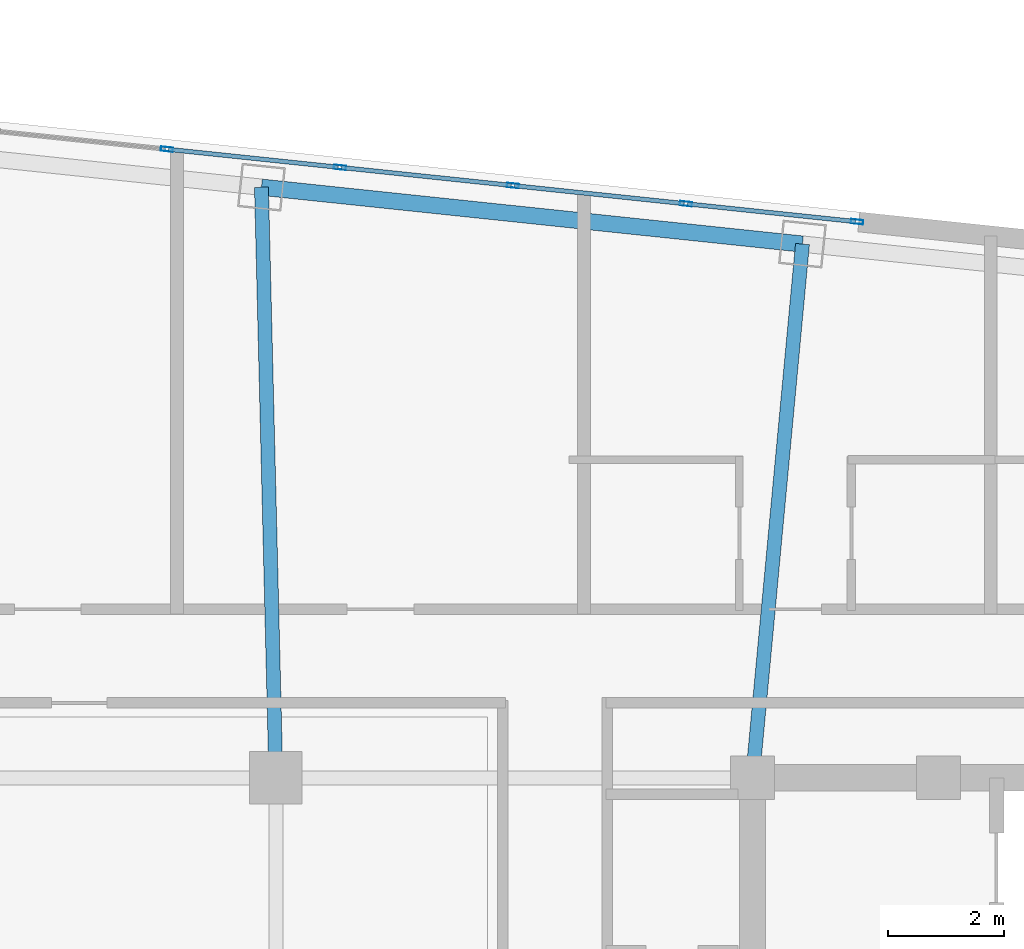
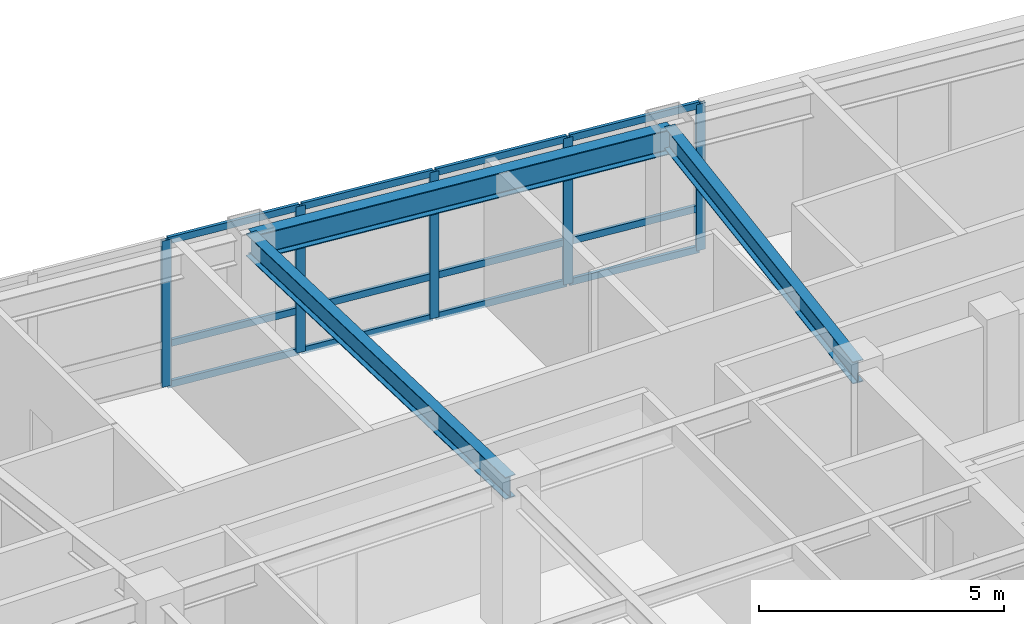
# One storey, part 6 of 16: 17 members, 3 beams, 1 element without a shape of its own.
"""IFC4 building model written with IfcOpenShell, lengths in metres."""

from ifc_helpers import new_model, si_unit, direction, frame, origin, origin_2d, place, context, subcontext, project, spatial, hollow_rectangle, i_section, extrude, material, layer, layer_set, material_profile, profile_set, type_object, element, aggregate, save


model = new_model("IFC4")

# Units and contexts
model_context = context("Model", 3, precision=1e-05, world=origin(), true_north=direction((0.0, 1.0)))
body_context = subcontext(model_context, "Body", "Model", "MODEL_VIEW")
ifc_project = project(units=[si_unit("LENGTHUNIT", "METRE"), si_unit("AREAUNIT", "SQUARE_METRE"), si_unit("VOLUMEUNIT", "CUBIC_METRE"), si_unit("PLANEANGLEUNIT", "RADIAN"), si_unit("MASSUNIT", "GRAM", prefix="KILO")], contexts=[model_context])

# Site, building, storey
site_placement = place(None, origin())
site = spatial("IfcSite", under=ifc_project, at=site_placement, CompositionType="ELEMENT")
building_placement = place(site_placement, origin())
building = spatial("IfcBuilding", under=site, at=building_placement, Name="Voryun Gate Residences", CompositionType="ELEMENT")
storey_placement = place(building_placement, frame((0.0, 0.0, 267.800048828125)))
storey = spatial("IfcBuildingStorey", under=building, at=storey_placement, Name="L66", CompositionType="ELEMENT", Elevation=267.800048828125)

# Beams
ifc_material_1 = material(Name="Steel SM355", Category="steel")
ifc_material_profile_1 = material_profile(ifc_material_1, i_section(OverallWidth=0.280029296875, OverallDepth=0.6201171875, WebThickness=0.013916015625, FlangeThickness=0.02197265625, FilletRadius=0.01806640625, at=origin_2d()), Name="H-620x280x14x22")
ifc_profile_set_1 = profile_set([ifc_material_profile_1], Name="Steel SM355")
beam_type_1 = type_object("IfcBeamType", Name="BM_EXO_SPANDREL_H", PredefinedType="SPANDREL", material=ifc_profile_set_1)
beam_1_placement = place(storey_placement, frame((13.26025390625, 16.5830078125, 3.33984375), z_axis=(-0.994523018663, 0.104517775278, 0.0), x_axis=(-0.104517775278, -0.994523018663, 0.0)))
element("IfcBeam", 1, at=beam_1_placement, inside=storey, type_object=beam_type_1, Name="BM-L66-SPAND-12", PredefinedType="SPANDREL", context=body_context, shape_type="SweptSolid", body=[
    extrude(i_section(OverallWidth=0.280029296875, OverallDepth=0.6201171875, WebThickness=0.013916015625, FlangeThickness=0.02197265625, FilletRadius=0.01806640625, at=origin_2d()), origin(), (0.0, 0.0, 1.0), 9.35986328125),
])
ifc_material_2 = material(Name="Steel SM355", Category="steel")
ifc_material_profile_2 = material_profile(ifc_material_2, i_section(OverallWidth=0.239990234375, OverallDepth=0.550048828125, WebThickness=0.011962890625, FlangeThickness=0.02001953125, FilletRadius=0.01806640625, at=origin_2d()), Name="H-550x240x12x20")
ifc_profile_set_2 = profile_set([ifc_material_profile_2], Name="Steel SM355")
beam_type_2 = type_object("IfcBeamType", Name="BM_GIRD_550", PredefinedType="USERDEFINED", material=ifc_profile_set_2)
beam_2_placement = place(storey_placement, frame((12.39990234375, 7.39990234375, 3.375), z_axis=(0.093280030115, 0.995639912811, 0.0), x_axis=(-0.995639912811, 0.093280030115, 0.0)))
element("IfcBeam", 2, at=beam_2_placement, inside=storey, type_object=beam_type_2, Name="BM-L66-RAD-N2", ObjectType="GIRDER", PredefinedType="USERDEFINED", context=body_context, shape_type="SweptSolid", body=[
    extrude(i_section(OverallWidth=0.239990234375, OverallDepth=0.550048828125, WebThickness=0.011962890625, FlangeThickness=0.02001953125, FilletRadius=0.01806640625, at=origin_2d()), origin(), (0.0, 0.0, 1.0), 9.223388671875),
])
beam_3_placement = place(storey_placement, frame((4.199951171875, 7.39990234375, 3.375), z_axis=(-0.024427489288, 0.999701604364, 0.0), x_axis=(-0.999701604364, -0.024427489288, 0.0)))
element("IfcBeam", 3, at=beam_3_placement, inside=storey, type_object=beam_type_2, Name="BM-L66-RAD-N3", ObjectType="GIRDER", PredefinedType="USERDEFINED", context=body_context, shape_type="SweptSolid", body=[
    extrude(i_section(OverallWidth=0.239990234375, OverallDepth=0.550048828125, WebThickness=0.011962890625, FlangeThickness=0.02001953125, FilletRadius=0.01806640625, at=origin_2d()), origin(), (0.0, 0.0, 1.0), 10.164306640625),
])

# Curtain wall, members
ifc_material_3 = material(Name="Anodised aluminium", Category="aluminium")
ifc_layer = layer(ifc_material_3, 0.2099609375, Name="CW_SYS_SKYGARDEN_DARK_GLASS")
ifc_layer_set = layer_set([ifc_layer], Name="Anodised aluminium")
curtain_wall_type = type_object("IfcCurtainWallType", Name="CW_SYS_SKYGARDEN_DARK_GLASS", PredefinedType="NOTDEFINED", material=ifc_layer_set)
curtain_wall_placement = place(storey_placement, origin())
curtain_wall = element("IfcCurtainWall", 4, at=curtain_wall_placement, inside=storey, type_object=curtain_wall_type, Name="Curtain wall CW5-L66-SG-11", PredefinedType="NOTDEFINED")
ifc_material_4 = material(Name="Anodised aluminium", Category="aluminium")
ifc_material_profile_3 = material_profile(ifc_material_4, hollow_rectangle(XDim=0.074951171875, YDim=0.2099609375, WallThickness=0.0048828125, at=origin_2d()), Name="ALU-MULL-210x75x5")
ifc_profile_set_3 = profile_set([ifc_material_profile_3], Name="Anodised aluminium")
member_type_1 = type_object("IfcMemberType", Name="CW_MULL_SKY", PredefinedType="MULLION", material=ifc_profile_set_3)
member_1_placement = place(storey_placement, frame((2.323974609375, 18.215087890625, 0.0), z_axis=(0.0, 0.0, 1.0), x_axis=(0.104532256285, 0.994521496699, 0.0)))
member_1 = element("IfcMember", 5, at=member_1_placement, type_object=member_type_1, Name="CW5 mullion 7", PredefinedType="MULLION", context=body_context, shape_type="SweptSolid", body=[
    extrude(hollow_rectangle(XDim=0.074951171875, YDim=0.2099609375, WallThickness=0.0048828125, at=origin_2d()), origin(), (0.0, 0.0, 1.0), 3.64990234375),
])
member_2_placement = place(storey_placement, frame((5.300537109375, 17.902099609375, 0.0), z_axis=(0.0, 0.0, 1.0), x_axis=(0.104532256285, 0.994521496699, 0.0)))
member_2 = element("IfcMember", 6, at=member_2_placement, type_object=member_type_1, Name="CW5 mullion 8", PredefinedType="MULLION", context=body_context, shape_type="SweptSolid", body=[
    extrude(hollow_rectangle(XDim=0.074951171875, YDim=0.2099609375, WallThickness=0.0048828125, at=origin_2d()), origin(), (0.0, 0.0, 1.0), 3.64990234375),
])
member_3_placement = place(storey_placement, frame((8.27734375, 17.58935546875, 0.0), z_axis=(0.0, 0.0, 1.0), x_axis=(0.104532256285, 0.994521496699, 0.0)))
member_3 = element("IfcMember", 7, at=member_3_placement, type_object=member_type_1, Name="CW5 mullion 9", PredefinedType="MULLION", context=body_context, shape_type="SweptSolid", body=[
    extrude(hollow_rectangle(XDim=0.074951171875, YDim=0.2099609375, WallThickness=0.0048828125, at=origin_2d()), origin(), (0.0, 0.0, 1.0), 3.64990234375),
])
member_4_placement = place(storey_placement, frame((11.25390625, 17.2763671875, 0.0), z_axis=(0.0, 0.0, 1.0), x_axis=(0.104532256285, 0.994521496699, 0.0)))
member_4 = element("IfcMember", 8, at=member_4_placement, type_object=member_type_1, Name="CW5 mullion 10", PredefinedType="MULLION", context=body_context, shape_type="SweptSolid", body=[
    extrude(hollow_rectangle(XDim=0.074951171875, YDim=0.2099609375, WallThickness=0.0048828125, at=origin_2d()), origin(), (0.0, 0.0, 1.0), 3.64990234375),
])
member_5_placement = place(storey_placement, frame((14.20068359375, 16.966796875, 0.0), z_axis=(0.0, 0.0, 1.0), x_axis=(0.104532256285, 0.994521496699, 0.0)))
member_5 = element("IfcMember", 9, at=member_5_placement, type_object=member_type_1, Name="CW5 mullion 11", PredefinedType="MULLION", context=body_context, shape_type="SweptSolid", body=[
    extrude(hollow_rectangle(XDim=0.074951171875, YDim=0.2099609375, WallThickness=0.0048828125, at=origin_2d()), origin(), (0.0, 0.0, 1.0), 3.64990234375),
])
ifc_material_5 = material(Name="Anodised aluminium", Category="aluminium")
ifc_material_profile_4 = material_profile(ifc_material_5, hollow_rectangle(XDim=0.074951171875, YDim=0.169921875, WallThickness=0.0048828125, at=origin_2d()), Name="ALU-TRAN-170x75x5")
ifc_profile_set_4 = profile_set([ifc_material_profile_4], Name="Anodised aluminium")
member_type_2 = type_object("IfcMemberType", Name="CW_TRAN_SKY", PredefinedType="USERDEFINED", material=ifc_profile_set_4)
member_6_placement = place(storey_placement, frame((2.353759765625, 18.2119140625, 0.030029296875), z_axis=(0.994520038301, -0.104546130575, 0.0), x_axis=(0.104546130575, 0.994520038301, 0.0)))
member_6 = element("IfcMember", 10, at=member_6_placement, type_object=member_type_2, Name="CW5 transom 7.1", ObjectType="TRANSOM", PredefinedType="USERDEFINED", context=body_context, shape_type="SweptSolid", body=[
    extrude(hollow_rectangle(XDim=0.074951171875, YDim=0.169921875, WallThickness=0.0048828125, at=origin_2d()), origin(), (0.0, 0.0, 1.0), 2.93310546875),
])
member_7_placement = place(storey_placement, frame((2.353759765625, 18.2119140625, 1.050048828125), z_axis=(0.994520038301, -0.104546130575, 0.0), x_axis=(0.104546130575, 0.994520038301, 0.0)))
member_7 = element("IfcMember", 11, at=member_7_placement, type_object=member_type_2, Name="CW5 transom 7.2", ObjectType="TRANSOM", PredefinedType="USERDEFINED", context=body_context, shape_type="SweptSolid", body=[
    extrude(hollow_rectangle(XDim=0.074951171875, YDim=0.169921875, WallThickness=0.0048828125, at=origin_2d()), origin(), (0.0, 0.0, 1.0), 2.93310546875),
])
member_8_placement = place(storey_placement, frame((2.353759765625, 18.2119140625, 3.619873046875), z_axis=(0.994520038301, -0.104546130575, 0.0), x_axis=(0.104546130575, 0.994520038301, 0.0)))
member_8 = element("IfcMember", 12, at=member_8_placement, type_object=member_type_2, Name="CW5 transom 7.3", ObjectType="TRANSOM", PredefinedType="USERDEFINED", context=body_context, shape_type="SweptSolid", body=[
    extrude(hollow_rectangle(XDim=0.074951171875, YDim=0.169921875, WallThickness=0.0048828125, at=origin_2d()), origin(), (0.0, 0.0, 1.0), 2.93310546875),
])
member_9_placement = place(storey_placement, frame((5.33056640625, 17.899169921875, 0.030029296875), z_axis=(0.994520038301, -0.104546130575, 0.0), x_axis=(0.104546130575, 0.994520038301, 0.0)))
member_9 = element("IfcMember", 13, at=member_9_placement, type_object=member_type_2, Name="CW5 transom 8.1", ObjectType="TRANSOM", PredefinedType="USERDEFINED", context=body_context, shape_type="SweptSolid", body=[
    extrude(hollow_rectangle(XDim=0.074951171875, YDim=0.169921875, WallThickness=0.0048828125, at=origin_2d()), origin(), (0.0, 0.0, 1.0), 2.93310546875),
])
member_10_placement = place(storey_placement, frame((5.33056640625, 17.899169921875, 1.050048828125), z_axis=(0.994520038301, -0.104546130575, 0.0), x_axis=(0.104546130575, 0.994520038301, 0.0)))
member_10 = element("IfcMember", 14, at=member_10_placement, type_object=member_type_2, Name="CW5 transom 8.2", ObjectType="TRANSOM", PredefinedType="USERDEFINED", context=body_context, shape_type="SweptSolid", body=[
    extrude(hollow_rectangle(XDim=0.074951171875, YDim=0.169921875, WallThickness=0.0048828125, at=origin_2d()), origin(), (0.0, 0.0, 1.0), 2.93310546875),
])
member_11_placement = place(storey_placement, frame((5.33056640625, 17.899169921875, 3.619873046875), z_axis=(0.994520038301, -0.104546130575, 0.0), x_axis=(0.104546130575, 0.994520038301, 0.0)))
member_11 = element("IfcMember", 15, at=member_11_placement, type_object=member_type_2, Name="CW5 transom 8.3", ObjectType="TRANSOM", PredefinedType="USERDEFINED", context=body_context, shape_type="SweptSolid", body=[
    extrude(hollow_rectangle(XDim=0.074951171875, YDim=0.169921875, WallThickness=0.0048828125, at=origin_2d()), origin(), (0.0, 0.0, 1.0), 2.93310546875),
])
member_12_placement = place(storey_placement, frame((8.30712890625, 17.586181640625, 0.030029296875), z_axis=(0.994520038301, -0.104546130575, 0.0), x_axis=(0.104546130575, 0.994520038301, 0.0)))
member_12 = element("IfcMember", 16, at=member_12_placement, type_object=member_type_2, Name="CW5 transom 9.1", ObjectType="TRANSOM", PredefinedType="USERDEFINED", context=body_context, shape_type="SweptSolid", body=[
    extrude(hollow_rectangle(XDim=0.074951171875, YDim=0.169921875, WallThickness=0.0048828125, at=origin_2d()), origin(), (0.0, 0.0, 1.0), 2.93310546875),
])
member_13_placement = place(storey_placement, frame((8.30712890625, 17.586181640625, 1.050048828125), z_axis=(0.994520038301, -0.104546130575, 0.0), x_axis=(0.104546130575, 0.994520038301, 0.0)))
member_13 = element("IfcMember", 17, at=member_13_placement, type_object=member_type_2, Name="CW5 transom 9.2", ObjectType="TRANSOM", PredefinedType="USERDEFINED", context=body_context, shape_type="SweptSolid", body=[
    extrude(hollow_rectangle(XDim=0.074951171875, YDim=0.169921875, WallThickness=0.0048828125, at=origin_2d()), origin(), (0.0, 0.0, 1.0), 2.93310546875),
])
member_14_placement = place(storey_placement, frame((8.30712890625, 17.586181640625, 3.619873046875), z_axis=(0.994520038301, -0.104546130575, 0.0), x_axis=(0.104546130575, 0.994520038301, 0.0)))
member_14 = element("IfcMember", 18, at=member_14_placement, type_object=member_type_2, Name="CW5 transom 9.3", ObjectType="TRANSOM", PredefinedType="USERDEFINED", context=body_context, shape_type="SweptSolid", body=[
    extrude(hollow_rectangle(XDim=0.074951171875, YDim=0.169921875, WallThickness=0.0048828125, at=origin_2d()), origin(), (0.0, 0.0, 1.0), 2.93310546875),
])
member_15_placement = place(storey_placement, frame((11.28369140625, 17.2734375, 0.030029296875), z_axis=(0.994521569156, -0.104531566925, 0.0), x_axis=(0.104531566925, 0.994521569156, 0.0)))
member_15 = element("IfcMember", 19, at=member_15_placement, type_object=member_type_2, Name="CW5 transom 10.1", ObjectType="TRANSOM", PredefinedType="USERDEFINED", context=body_context, shape_type="SweptSolid", body=[
    extrude(hollow_rectangle(XDim=0.074951171875, YDim=0.169921875, WallThickness=0.0048828125, at=origin_2d()), origin(), (0.0, 0.0, 1.0), 2.903076171875),
])
member_16_placement = place(storey_placement, frame((11.28369140625, 17.2734375, 1.050048828125), z_axis=(0.994521569156, -0.104531566925, 0.0), x_axis=(0.104531566925, 0.994521569156, 0.0)))
member_16 = element("IfcMember", 20, at=member_16_placement, type_object=member_type_2, Name="CW5 transom 10.2", ObjectType="TRANSOM", PredefinedType="USERDEFINED", context=body_context, shape_type="SweptSolid", body=[
    extrude(hollow_rectangle(XDim=0.074951171875, YDim=0.169921875, WallThickness=0.0048828125, at=origin_2d()), origin(), (0.0, 0.0, 1.0), 2.903076171875),
])
member_17_placement = place(storey_placement, frame((11.28369140625, 17.2734375, 3.619873046875), z_axis=(0.994521569156, -0.104531566925, 0.0), x_axis=(0.104531566925, 0.994521569156, 0.0)))
member_17 = element("IfcMember", 21, at=member_17_placement, type_object=member_type_2, Name="CW5 transom 10.3", ObjectType="TRANSOM", PredefinedType="USERDEFINED", context=body_context, shape_type="SweptSolid", body=[
    extrude(hollow_rectangle(XDim=0.074951171875, YDim=0.169921875, WallThickness=0.0048828125, at=origin_2d()), origin(), (0.0, 0.0, 1.0), 2.903076171875),
])
aggregate(curtain_wall, [member_1, member_2, member_3, member_4, member_5, member_6, member_7, member_8, member_9, member_10, member_11, member_12, member_13, member_14, member_15, member_16, member_17])

save(model, "model.ifc")
